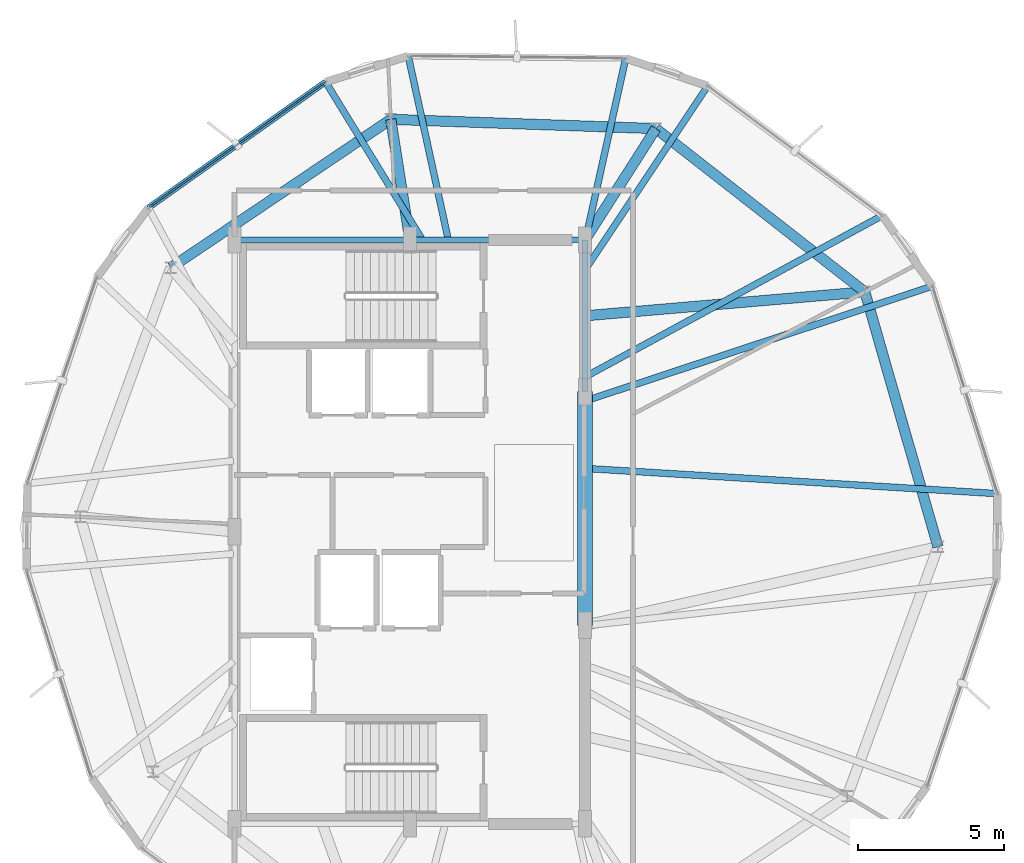
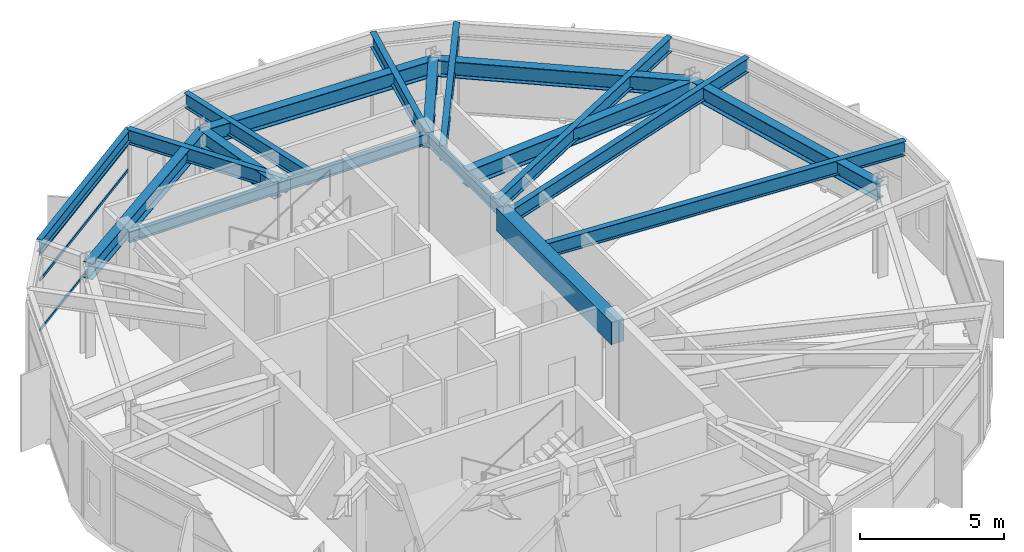
# One storey, part 9 of 19: 19 beams, 3 members, 1 element without a shape of its own.
"""IFC4 building model written with IfcOpenShell, lengths in metres."""

from ifc_helpers import new_model, si_unit, direction, frame, origin, origin_2d, place, context, subcontext, project, spatial, rectangle, hollow_rectangle, i_section, extrude, material, layer, layer_set, material_profile, profile_set, type_object, element, aggregate, save


model = new_model("IFC4")

# Units and contexts
model_context = context("Model", 3, precision=1e-05, world=origin(), true_north=direction((0.0, 1.0)))
body_context = subcontext(model_context, "Body", "Model", "MODEL_VIEW")
ifc_project = project(units=[si_unit("LENGTHUNIT", "METRE"), si_unit("AREAUNIT", "SQUARE_METRE"), si_unit("VOLUMEUNIT", "CUBIC_METRE"), si_unit("PLANEANGLEUNIT", "RADIAN"), si_unit("MASSUNIT", "GRAM", prefix="KILO")], contexts=[model_context])

# Site, building, storey
site_placement = place(None, origin())
site = spatial("IfcSite", under=ifc_project, at=site_placement, CompositionType="ELEMENT")
building_placement = place(site_placement, origin())
building = spatial("IfcBuilding", under=site, at=building_placement, Name="Soratama Intermodal Tower", CompositionType="ELEMENT")
storey_placement = place(building_placement, frame((0.0, 0.0, 297.25)))
storey = spatial("IfcBuildingStorey", under=building, at=storey_placement, Name="L75", CompositionType="ELEMENT", Elevation=297.25)

# Beams
ifc_material_1 = material(Name="Concrete f'c 56 MPa", Category="concrete")
ifc_material_profile_1 = material_profile(ifc_material_1, rectangle(XDim=0.5, YDim=0.949951171875, at=origin_2d()), Name="RC500X950")
ifc_profile_set_1 = profile_set([ifc_material_profile_1], Name="Concrete f'c 56 MPa")
beam_type_1 = type_object("IfcBeamType", Name="BM-CPL-RC500X950", PredefinedType="BEAM", material=ifc_profile_set_1)
beam_1_placement = place(storey_placement, frame((44.60009765625, 21.800048828125, 3.419921875), z_axis=(0.0, 1.0, 0.0), x_axis=(-1.0, 0.0, 0.0)))
element("IfcBeam", 1, at=beam_1_placement, inside=storey, type_object=beam_type_1, Name="L75 Core Coupling Beam East", PredefinedType="BEAM", context=body_context, shape_type="SweptSolid", body=[
    extrude(rectangle(XDim=0.5, YDim=0.949951171875, at=origin_2d()), origin(), (0.0, 0.0, 1.0), 8.0),
])
ifc_material_2 = material(Name="Structural steel ASTM A992 Grade 50", Category="steel")
ifc_material_profile_2 = material_profile(ifc_material_2, i_section(OverallWidth=0.19091796875, OverallDepth=0.4599609375, WebThickness=0.010009765625, FlangeThickness=0.01611328125, FilletRadius=0.010986328125, at=origin_2d()), Name="W18X55")
ifc_profile_set_2 = profile_set([ifc_material_profile_2], Name="Structural steel ASTM A992 Grade 50")
beam_type_2 = type_object("IfcBeamType", Name="BM-FLR-W18X55", PredefinedType="BEAM", material=ifc_profile_set_2)
beam_2_placement = place(storey_placement, frame((44.60009765625, 29.800048828125, 3.6650390625), z_axis=(0.0, 1.0, 0.0), x_axis=(-1.0, 0.0, 0.0)))
element("IfcBeam", 2, at=beam_2_placement, inside=storey, type_object=beam_type_2, Name="BM-L75-CRING-05", PredefinedType="BEAM", context=body_context, shape_type="SweptSolid", body=[
    extrude(i_section(OverallWidth=0.19091796875, OverallDepth=0.4599609375, WebThickness=0.010009765625, FlangeThickness=0.01611328125, FilletRadius=0.010986328125, at=origin_2d()), origin(), (0.0, 0.0, 1.0), 5.199951171875),
])
for number, where, z_axis, x_axis, name in (
    (3, (44.60009765625, 35.0, 3.6650390625), (-1.0, 0.0, 0.0), (0.0, -1.0, 0.0), "BM-L75-CRING-06"),
    (4, (38.60009765625, 35.0, 3.6650390625), (-1.0, 0.0, 0.0), (0.0, -1.0, 0.0), "BM-L75-CRING-07"),
):
    element("IfcBeam", number, at=place(storey_placement, frame(where, z_axis=z_axis, x_axis=x_axis)), inside=storey, type_object=beam_type_2, Name=name, PredefinedType="BEAM", context=body_context, shape_type="SweptSolid", body=[
        extrude(i_section(OverallWidth=0.19091796875, OverallDepth=0.4599609375, WebThickness=0.010009765625, FlangeThickness=0.01611328125, FilletRadius=0.010986328125, at=origin_2d()), origin(), (0.0, 0.0, 1.0), 6.0),
    ])
ifc_material_3 = material(Name="Structural steel ASTM A992 Grade 50", Category="steel")
ifc_material_profile_3 = material_profile(ifc_material_3, i_section(OverallWidth=0.35498046875, OverallDepth=0.695068359375, WebThickness=0.015380859375, FlangeThickness=0.02490234375, FilletRadius=0.01611328125, at=origin_2d()), Name="W27X146")
ifc_profile_set_3 = profile_set([ifc_material_profile_3], Name="Structural steel ASTM A992 Grade 50")
beam_type_3 = type_object("IfcBeamType", Name="BM-RING-W27X146", PredefinedType="BEAM", material=ifc_profile_set_3)
beam_3_placement = place(storey_placement, frame((54.18701171875, 33.219970703125, 3.547607421875), z_axis=(-0.78801907717, 0.615650821502, 0.0), x_axis=(-0.615650821502, -0.78801907717, 0.0)))
element("IfcBeam", 5, at=beam_3_placement, inside=storey, type_object=beam_type_3, Name="BM-L75-RING-01", PredefinedType="BEAM", context=body_context, shape_type="SweptSolid", body=[
    extrude(i_section(OverallWidth=0.35498046875, OverallDepth=0.695068359375, WebThickness=0.015380859375, FlangeThickness=0.02490234375, FilletRadius=0.01611328125, at=origin_2d()), origin(), (0.0, 0.0, 1.0), 9.084716796875),
])
beam_4_placement = place(storey_placement, frame((47.028076171875, 38.81298828125, 3.547607421875), z_axis=(-0.999391551516, 0.034878743651, 0.0), x_axis=(-0.034878743651, -0.999391551516, 0.0)))
element("IfcBeam", 6, at=beam_4_placement, inside=storey, type_object=beam_type_3, Name="BM-L75-RING-02", PredefinedType="BEAM", context=body_context, shape_type="SweptSolid", body=[
    extrude(i_section(OverallWidth=0.35498046875, OverallDepth=0.695068359375, WebThickness=0.015380859375, FlangeThickness=0.02490234375, FilletRadius=0.01611328125, at=origin_2d()), origin(), (0.0, 0.0, 1.0), 9.085693359375),
])
beam_5_placement = place(storey_placement, frame((37.947998046875, 39.1298828125, 3.547607421875), z_axis=(-0.829065755123, -0.559151118824, 0.0), x_axis=(0.559151118824, -0.829065755123, 0.0)))
element("IfcBeam", 7, at=beam_5_placement, inside=storey, type_object=beam_type_3, Name="BM-L75-RING-03", PredefinedType="BEAM", context=body_context, shape_type="SweptSolid", body=[
    extrude(i_section(OverallWidth=0.35498046875, OverallDepth=0.695068359375, WebThickness=0.015380859375, FlangeThickness=0.02490234375, FilletRadius=0.01611328125, at=origin_2d()), origin(), (0.0, 0.0, 1.0), 9.0849609375),
])
beam_6_placement = place(storey_placement, frame((56.69091796875, 24.487060546875, 3.547607421875), z_axis=(-0.275615442928, 0.961267979088, 0.0), x_axis=(-0.961267979088, -0.275615442928, 0.0)))
element("IfcBeam", 8, at=beam_6_placement, inside=storey, type_object=beam_type_3, Name="BM-L75-RING-10", PredefinedType="BEAM", context=body_context, shape_type="SweptSolid", body=[
    extrude(i_section(OverallWidth=0.35498046875, OverallDepth=0.695068359375, WebThickness=0.015380859375, FlangeThickness=0.02490234375, FilletRadius=0.01611328125, at=origin_2d()), origin(), (0.0, 0.0, 1.0), 9.084716796875),
])
beam_7_placement = place(storey_placement, frame((44.60009765625, 32.39990234375, 3.547607421875), z_axis=(0.996361377068, 0.085229139899, 0.0), x_axis=(-0.085229139899, 0.996361377068, 0.0)))
element("IfcBeam", 9, at=beam_7_placement, inside=storey, type_object=beam_type_3, Name="BM-L75-RAD-01", PredefinedType="BEAM", context=body_context, shape_type="SweptSolid", body=[
    extrude(i_section(OverallWidth=0.35498046875, OverallDepth=0.695068359375, WebThickness=0.015380859375, FlangeThickness=0.02490234375, FilletRadius=0.01611328125, at=origin_2d()), origin(), (0.0, 0.0, 1.0), 9.621826171875),
])
beam_8_placement = place(storey_placement, frame((44.60009765625, 35.0, 3.547607421875), z_axis=(0.537116603261, 0.843508005001, 0.0), x_axis=(-0.843508005001, 0.537116603261, 0.0)))
element("IfcBeam", 10, at=beam_8_placement, inside=storey, type_object=beam_type_3, Name="BM-L75-RAD-02", PredefinedType="BEAM", context=body_context, shape_type="SweptSolid", body=[
    extrude(i_section(OverallWidth=0.35498046875, OverallDepth=0.695068359375, WebThickness=0.015380859375, FlangeThickness=0.02490234375, FilletRadius=0.01611328125, at=origin_2d()), origin(), (0.0, 0.0, 1.0), 4.5205078125),
])
beam_9_placement = place(storey_placement, frame((38.60009765625, 35.0, 3.547607421875), z_axis=(-0.155965571991, 0.987762491874, 0.0), x_axis=(-0.987762491874, -0.155965571991, 0.0)))
element("IfcBeam", 11, at=beam_9_placement, inside=storey, type_object=beam_type_3, Name="BM-L75-RAD-03", PredefinedType="BEAM", context=body_context, shape_type="SweptSolid", body=[
    extrude(i_section(OverallWidth=0.35498046875, OverallDepth=0.695068359375, WebThickness=0.015380859375, FlangeThickness=0.02490234375, FilletRadius=0.01611328125, at=origin_2d()), origin(), (0.0, 0.0, 1.0), 4.18115234375),
])
ifc_material_4 = material(Name="Structural steel ASTM A992 Grade 50", Category="steel")
ifc_material_profile_4 = material_profile(ifc_material_4, i_section(OverallWidth=0.2099609375, OverallDepth=0.537109375, WebThickness=0.010986328125, FlangeThickness=0.017333984375, FilletRadius=0.012939453125, at=origin_2d()), Name="W21X68")
ifc_profile_set_4 = profile_set([ifc_material_profile_4], Name="Structural steel ASTM A992 Grade 50")
beam_type_4 = type_object("IfcBeamType", Name="BM-SPN-W21X68", PredefinedType="SPANDREL", material=ifc_profile_set_4)
beam_10_placement = place(storey_placement, frame((35.715087890625, 40.4140625, 3.62646484375), z_axis=(-0.815141719228, -0.579261579576, 0.0), x_axis=(0.579261579576, -0.815141719228, 0.0)))
element("IfcBeam", 12, at=beam_10_placement, inside=storey, type_object=beam_type_4, Name="BS-L75-F02", PredefinedType="SPANDREL", context=body_context, shape_type="SweptSolid", body=[
    extrude(i_section(OverallWidth=0.2099609375, OverallDepth=0.537109375, WebThickness=0.010986328125, FlangeThickness=0.017333984375, FilletRadius=0.012939453125, at=origin_2d()), origin(), (0.0, 0.0, 1.0), 7.448974609375),
])
ifc_material_5 = material(Name="Structural steel ASTM A992 Grade 50", Category="steel")
ifc_material_profile_5 = material_profile(ifc_material_5, i_section(OverallWidth=0.22900390625, OverallDepth=0.612060546875, WebThickness=0.011962890625, FlangeThickness=0.01953125, FilletRadius=0.012939453125, at=origin_2d()), Name="W24X84")
ifc_profile_set_5 = profile_set([ifc_material_profile_5], Name="Structural steel ASTM A992 Grade 50")
beam_type_5 = type_object("IfcBeamType", Name="BM-TIE-W24X84", PredefinedType="BEAM", material=ifc_profile_set_5)
beam_11_placement = place(storey_placement, frame((44.60888671875, 34.970947265625, 3.589111328125), z_axis=(0.216470249979, 0.976289214769, 0.0), x_axis=(-0.976289214769, 0.216470249979, 0.0)))
element("IfcBeam", 13, at=beam_11_placement, inside=storey, type_object=beam_type_5, Name="BM-L75-TIE0-01", PredefinedType="BEAM", context=body_context, shape_type="SweptSolid", body=[
    extrude(i_section(OverallWidth=0.22900390625, OverallDepth=0.612060546875, WebThickness=0.011962890625, FlangeThickness=0.01953125, FilletRadius=0.012939453125, at=origin_2d()), origin(), (0.0, 0.0, 1.0), 6.40380859375),
])
beam_12_placement = place(storey_placement, frame((39.910888671875, 35.0390625, 3.589111328125), z_axis=(-0.212979970288, 0.977056565536, 0.0), x_axis=(-0.977056565536, -0.212979970288, 0.0)))
element("IfcBeam", 14, at=beam_12_placement, inside=storey, type_object=beam_type_5, Name="BM-L75-TIE1-01", PredefinedType="BEAM", context=body_context, shape_type="SweptSolid", body=[
    extrude(i_section(OverallWidth=0.22900390625, OverallDepth=0.612060546875, WebThickness=0.011962890625, FlangeThickness=0.01953125, FilletRadius=0.012939453125, at=origin_2d()), origin(), (0.0, 0.0, 1.0), 6.408935546875),
])
beam_13_placement = place(storey_placement, frame((39.011962890625, 35.033935546875, 3.589111328125), z_axis=(-0.522490380175, 0.852645179793, 0.0), x_axis=(-0.852645179793, -0.522490380175, 0.0)))
element("IfcBeam", 15, at=beam_13_placement, inside=storey, type_object=beam_type_5, Name="BM-L75-TIE0-02", PredefinedType="BEAM", context=body_context, shape_type="SweptSolid", body=[
    extrude(i_section(OverallWidth=0.22900390625, OverallDepth=0.612060546875, WebThickness=0.011962890625, FlangeThickness=0.01953125, FilletRadius=0.012939453125, at=origin_2d()), origin(), (0.0, 0.0, 1.0), 6.309814453125),
])
beam_14_placement = place(storey_placement, frame((44.8349609375, 27.158935546875, 3.589111328125), z_axis=(0.998135592512, -0.061035554888, 0.0), x_axis=(0.061035554888, 0.998135592512, 0.0)))
element("IfcBeam", 16, at=beam_14_placement, inside=storey, type_object=beam_type_5, Name="BM-L75-TIE0-09", PredefinedType="BEAM", context=body_context, shape_type="SweptSolid", body=[
    extrude(i_section(OverallWidth=0.22900390625, OverallDepth=0.612060546875, WebThickness=0.011962890625, FlangeThickness=0.01953125, FilletRadius=0.012939453125, at=origin_2d()), origin(), (0.0, 0.0, 1.0), 13.923828125),
])
beam_15_placement = place(storey_placement, frame((44.822998046875, 29.553955078125, 3.589111328125), z_axis=(0.949434608998, 0.31396484395, 0.0), x_axis=(-0.31396484395, 0.949434608998, 0.0)))
element("IfcBeam", 17, at=beam_15_placement, inside=storey, type_object=beam_type_5, Name="BM-L75-TIE1-09", PredefinedType="BEAM", context=body_context, shape_type="SweptSolid", body=[
    extrude(i_section(OverallWidth=0.22900390625, OverallDepth=0.612060546875, WebThickness=0.011962890625, FlangeThickness=0.01953125, FilletRadius=0.012939453125, at=origin_2d()), origin(), (0.0, 0.0, 1.0), 12.303955078125),
])
beam_16_placement = place(storey_placement, frame((44.635009765625, 30.323974609375, 3.589111328125), z_axis=(0.878823554228, 0.477146896179, 0.0), x_axis=(-0.477146896179, 0.878823554228, 0.0)))
element("IfcBeam", 18, at=beam_16_placement, inside=storey, type_object=beam_type_5, Name="BM-L75-TIE0-10", PredefinedType="BEAM", context=body_context, shape_type="SweptSolid", body=[
    extrude(i_section(OverallWidth=0.22900390625, OverallDepth=0.612060546875, WebThickness=0.011962890625, FlangeThickness=0.01953125, FilletRadius=0.012939453125, at=origin_2d()), origin(), (0.0, 0.0, 1.0), 11.552001953125),
])
beam_17_placement = place(storey_placement, frame((44.6220703125, 34.0029296875, 3.589111328125), z_axis=(0.55479731516, 0.831985540194, 0.0), x_axis=(-0.831985540194, 0.55479731516, 0.0)))
element("IfcBeam", 19, at=beam_17_placement, inside=storey, type_object=beam_type_5, Name="BM-L75-TIE1-10", PredefinedType="BEAM", context=body_context, shape_type="SweptSolid", body=[
    extrude(i_section(OverallWidth=0.22900390625, OverallDepth=0.612060546875, WebThickness=0.011962890625, FlangeThickness=0.01953125, FilletRadius=0.012939453125, at=origin_2d()), origin(), (0.0, 0.0, 1.0), 7.541259765625),
])

# Curtain wall, members
ifc_material_6 = material(Name="Double-glazed aluminium curtain wall", Category="aluminium")
ifc_layer = layer(ifc_material_6, 0.159912109375)
ifc_layer_set = layer_set([ifc_layer], Name="Double-glazed aluminium curtain wall")
curtain_wall_type = type_object("IfcCurtainWallType", Name="CW-SYS-6", PredefinedType="NOTDEFINED", material=ifc_layer_set)
curtain_wall_placement = place(storey_placement, origin())
curtain_wall = element("IfcCurtainWall", 20, at=curtain_wall_placement, inside=storey, type_object=curtain_wall_type, Name="L75 Faceted Curtain Wall F02", PredefinedType="NOTDEFINED")
ifc_material_7 = material(Name="Anodised aluminium AA 6063-T6", Category="aluminium")
ifc_material_profile_6 = material_profile(ifc_material_7, hollow_rectangle(XDim=0.06005859375, YDim=0.1298828125, WallThickness=0.0048828125, InnerFilletRadius=0.0048828125, OuterFilletRadius=0.010009765625, at=origin_2d()), Name="CWT130X60X5")
ifc_profile_set_6 = profile_set([ifc_material_profile_6], Name="Anodised aluminium AA 6063-T6")
member_type = type_object("IfcMemberType", Name="TT-CWT-2", PredefinedType="USERDEFINED", material=ifc_profile_set_6)
member_1_placement = place(storey_placement, frame((35.666259765625, 40.37939453125, 0.030029296875), z_axis=(-0.815122046979, -0.579289261534, 0.0), x_axis=(0.579289261534, -0.815122046979, 0.0)))
member_1 = element("IfcMember", 21, at=member_1_placement, type_object=member_type, Name="CW-6 transom 1.1", ObjectType="TRANSOM", PredefinedType="USERDEFINED", context=body_context, shape_type="SweptSolid", body=[
    extrude(hollow_rectangle(XDim=0.06005859375, YDim=0.1298828125, WallThickness=0.0048828125, InnerFilletRadius=0.0048828125, OuterFilletRadius=0.010009765625, at=origin_2d()), origin(), (0.0, 0.0, 1.0), 7.329345703125),
])
member_2_placement = place(storey_placement, frame((35.666259765625, 40.37939453125, 2.14990234375), z_axis=(-0.815122046979, -0.579289261534, 0.0), x_axis=(0.579289261534, -0.815122046979, 0.0)))
member_2 = element("IfcMember", 22, at=member_2_placement, type_object=member_type, Name="CW-6 transom 1.2", ObjectType="TRANSOM", PredefinedType="USERDEFINED", context=body_context, shape_type="SweptSolid", body=[
    extrude(hollow_rectangle(XDim=0.06005859375, YDim=0.1298828125, WallThickness=0.0048828125, InnerFilletRadius=0.0048828125, OuterFilletRadius=0.010009765625, at=origin_2d()), origin(), (0.0, 0.0, 1.0), 7.329345703125),
])
member_3_placement = place(storey_placement, frame((35.666259765625, 40.37939453125, 3.243896484375), z_axis=(-0.815122046979, -0.579289261534, 0.0), x_axis=(0.579289261534, -0.815122046979, 0.0)))
member_3 = element("IfcMember", 23, at=member_3_placement, type_object=member_type, Name="CW-6 transom 1.3", ObjectType="TRANSOM", PredefinedType="USERDEFINED", context=body_context, shape_type="SweptSolid", body=[
    extrude(hollow_rectangle(XDim=0.06005859375, YDim=0.1298828125, WallThickness=0.0048828125, InnerFilletRadius=0.0048828125, OuterFilletRadius=0.010009765625, at=origin_2d()), origin(), (0.0, 0.0, 1.0), 7.329345703125),
])
aggregate(curtain_wall, [member_1, member_2, member_3])

save(model, "model.ifc")
